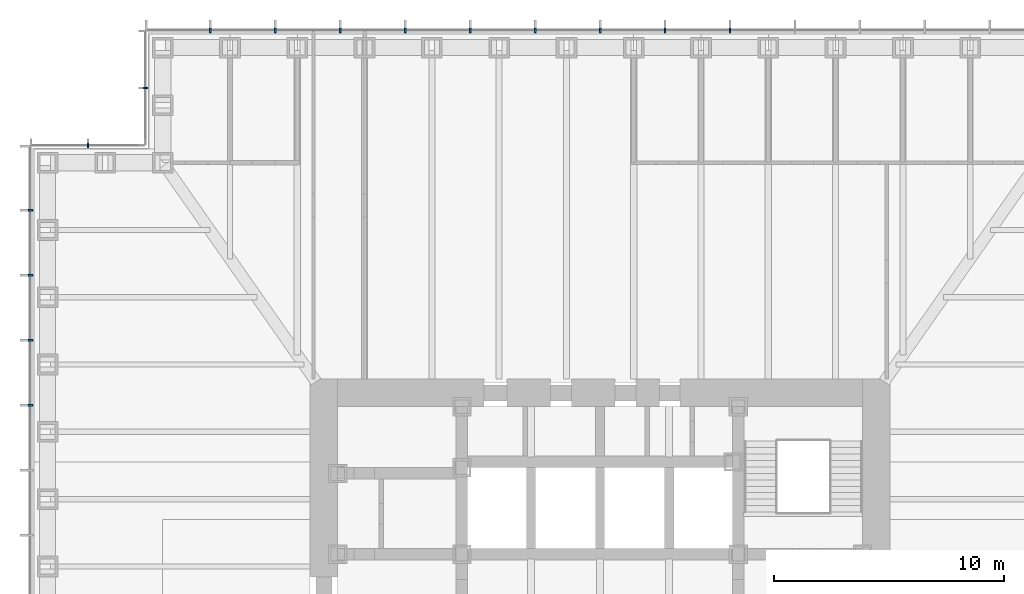
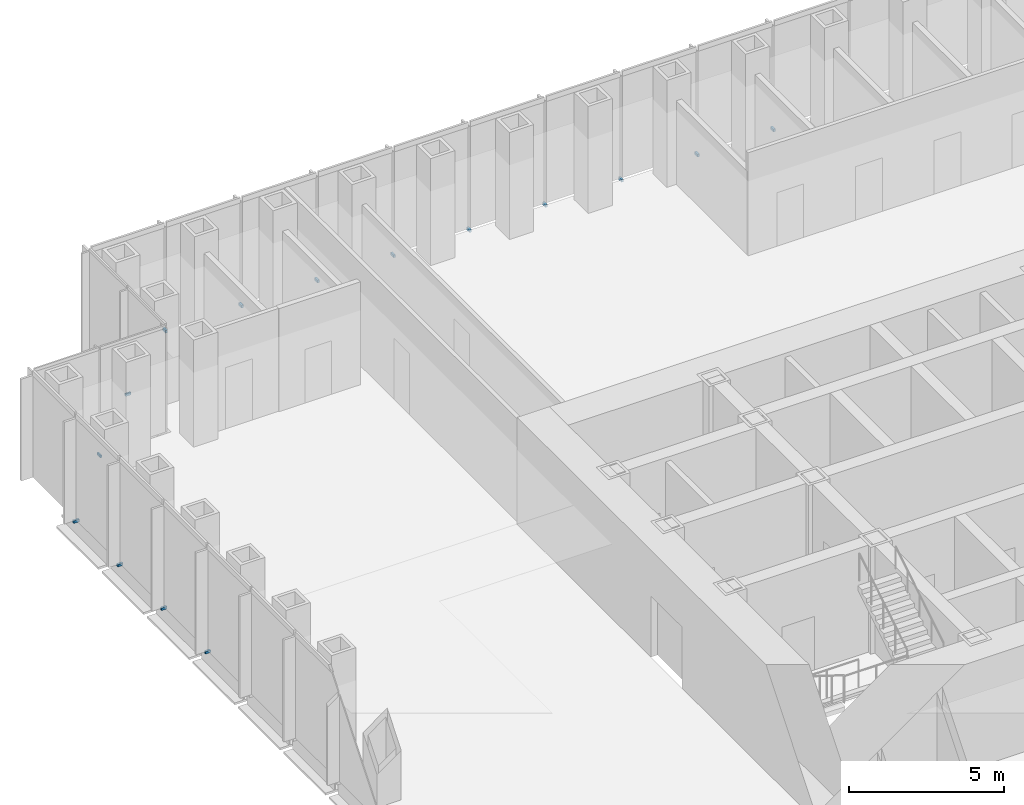
# One storey, part 14 of 16: 15 discrete accessories.
"""IFC4 building model written with IfcOpenShell, lengths in metres."""

from ifc_helpers import new_model, si_unit, direction, frame, origin, origin_2d, place, context, subcontext, project, spatial, rectangle, extrude, element, save


model = new_model("IFC4")

# Units and contexts
model_context = context("Model", 3, precision=1e-05, world=origin(), true_north=direction((0.0, 1.0)))
body_context = subcontext(model_context, "Body", "Model", "MODEL_VIEW")
ifc_project = project(units=[si_unit("LENGTHUNIT", "METRE"), si_unit("AREAUNIT", "SQUARE_METRE"), si_unit("VOLUMEUNIT", "CUBIC_METRE"), si_unit("PLANEANGLEUNIT", "RADIAN"), si_unit("MASSUNIT", "GRAM", prefix="KILO")], contexts=[model_context])

# Site, building, storey
site_placement = place(None, origin())
site = spatial("IfcSite", under=ifc_project, at=site_placement, CompositionType="ELEMENT")
building_placement = place(site_placement, origin())
building = spatial("IfcBuilding", under=site, at=building_placement, Name="Daluyong Arena Tower", CompositionType="ELEMENT")
storey_placement = place(building_placement, frame((0.0, 0.0, 93.699951171875)))
storey = spatial("IfcBuildingStorey", under=building, at=storey_placement, Name="L20", CompositionType="ELEMENT", Elevation=93.699951171875)

# Discrete accessories
for number, where, z_axis, x_axis, name in (
    (1, (61.642822265625, 104.75, -0.10009765625), (0.0, 0.0, 1.0), (-1.0, 0.0, 0.0), "curtain wall L20 N anchor bracket 6"),
    (2, (58.821533203125, 104.75, -0.10009765625), (0.0, 0.0, 1.0), (-1.0, 0.0, 0.0), "curtain wall L20 N anchor bracket 7"),
    (3, (56.0, 104.75, -0.10009765625), (0.0, 0.0, 1.0), (-1.0, 0.0, 0.0), "curtain wall L20 N anchor bracket 8"),
    (4, (53.178466796875, 104.75, -0.10009765625), (0.0, 0.0, 1.0), (-1.0, 0.0, 0.0), "curtain wall L20 N anchor bracket 9"),
    (5, (50.357177734375, 104.75, -0.10009765625), (0.0, 0.0, 1.0), (-1.0, 0.0, 0.0), "curtain wall L20 N anchor bracket 10"),
    (6, (47.53564453125, 104.75, -0.10009765625), (0.0, 0.0, 1.0), (-1.0, 0.0, 0.0), "curtain wall L20 N anchor bracket 11"),
    (7, (44.71435546875, 104.75, -0.10009765625), (0.0, 0.0, 1.0), (-1.0, 0.0, 0.0), "curtain wall L20 N anchor bracket 12"),
    (8, (41.892822265625, 104.75, -0.10009765625), (0.0, 0.0, 1.0), (-1.0, 0.0, 0.0), "curtain wall L20 N anchor bracket 13"),
    (9, (39.071533203125, 104.75, -0.10009765625), (0.0, 0.0, 1.0), (-1.0, 0.0, 0.0), "curtain wall L20 N anchor bracket 14"),
):
    element("IfcDiscreteAccessory", number, at=place(storey_placement, frame(where, z_axis=z_axis, x_axis=x_axis)), inside=storey, Name=name, PredefinedType="BRACKET", context=body_context, shape_type="SweptSolid", body=[
        extrude(rectangle(XDim=0.080078125, YDim=0.199951171875, at=origin_2d()), origin(), (0.0, 0.0, 1.0), 0.10009765625),
    ])
for number, where, z_axis, x_axis, name in (
    (10, (36.25, 102.25, -0.10009765625), (0.0, 0.0, 1.0), (0.0, -1.0, 0.0), "curtain wall L20 NW-W anchor bracket 2"),
    (11, (33.75, 99.75, -0.10009765625), (0.0, 0.0, 1.0), (-1.0, 0.0, 0.0), "curtain wall L20 NW-N anchor bracket 2"),
):
    element("IfcDiscreteAccessory", number, at=place(storey_placement, frame(where, z_axis=z_axis, x_axis=x_axis)), inside=storey, Name=name, PredefinedType="BRACKET", context=body_context, shape_type="SweptSolid", body=[
        extrude(rectangle(XDim=0.06005859375, YDim=0.199951171875, at=origin_2d()), origin(), (0.0, 0.0, 1.0), 0.10009765625),
    ])
for number, where, z_axis, x_axis, name in (
    (12, (31.25, 96.928466796875, -0.10009765625), (0.0, 0.0, 1.0), (0.0, -1.0, 0.0), "curtain wall L20 W anchor bracket 2"),
    (13, (31.25, 94.107177734375, -0.10009765625), (0.0, 0.0, 1.0), (0.0, -1.0, 0.0), "curtain wall L20 W anchor bracket 3"),
    (14, (31.25, 91.28564453125, -0.10009765625), (0.0, 0.0, 1.0), (0.0, -1.0, 0.0), "curtain wall L20 W anchor bracket 4"),
    (15, (31.25, 88.46435546875, -0.10009765625), (0.0, 0.0, 1.0), (0.0, -1.0, 0.0), "curtain wall L20 W anchor bracket 5"),
):
    element("IfcDiscreteAccessory", number, at=place(storey_placement, frame(where, z_axis=z_axis, x_axis=x_axis)), inside=storey, Name=name, PredefinedType="BRACKET", context=body_context, shape_type="SweptSolid", body=[
        extrude(rectangle(XDim=0.080078125, YDim=0.199951171875, at=origin_2d()), origin(), (0.0, 0.0, 1.0), 0.10009765625),
    ])

save(model, "model.ifc")
